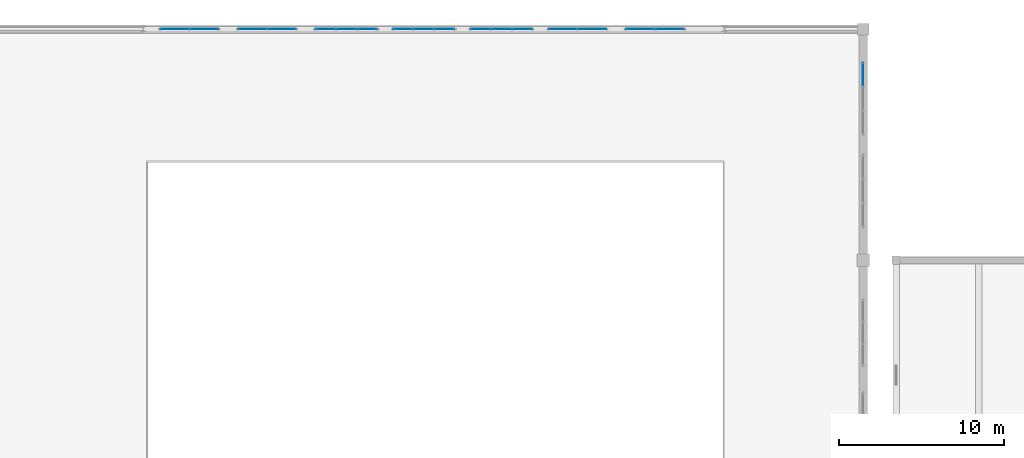
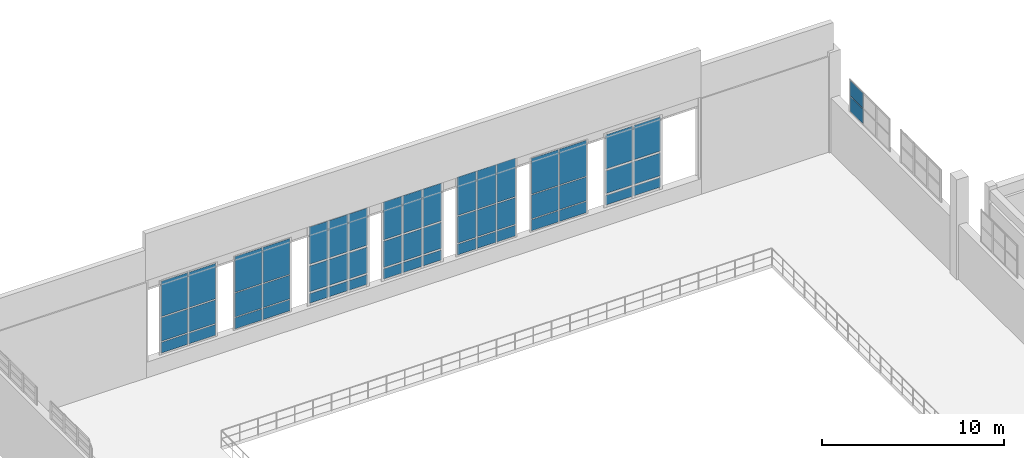
# One storey, part 168 of 197: 53 plates, 8 elements without a shape of their own.
"""IFC4 building model written with IfcOpenShell, lengths in metres."""

import ifcopenshell
import ifcopenshell.guid

model = None  # the IFC model being written
_history = None  # IfcOwnerHistory: only IFC2X3 demands one
_inside = {}  # id of a spatial element -> (the spatial element, [elements in it])
_under = {}  # id of a project, library or spatial element -> (it, [spatial elements below it])
_declared = {}  # id of a project -> (the project, [libraries it declares])
_typed = {}  # id of a type object -> (the type object, [elements of that type])
_made_of = {}  # id of a material, layer set ... -> (it, [elements and type objects made of it])


def new_model(schema):
    """Start an empty IFC model of exactly this schema.

    Asked for "IFC4X3", IfcOpenShell would pick the latest addendum, in which some entities
    have other attributes; the version numbers below select the first issue.
    IFC2X3 requires an IfcOwnerHistory on every rooted entity: one is made here for all.
    """
    global model, _history
    if schema == "IFC4X3":
        model = ifcopenshell.file(schema_version=(4, 3, 0, 0))
    else:
        model = ifcopenshell.file(schema=schema)
    _inside.clear()
    _under.clear()
    _declared.clear()
    _typed.clear()
    _made_of.clear()
    _history = None
    if model.schema == "IFC2X3":
        org = make("IfcOrganization", Name="unknown")
        user = make(
            "IfcPersonAndOrganization",
            ThePerson=make("IfcPerson", FamilyName="unknown"),
            TheOrganization=org,
        )
        app = make(
            "IfcApplication",
            ApplicationDeveloper=org,
            Version="unknown",
            ApplicationFullName="unknown",
            ApplicationIdentifier="unknown",
        )
        _history = make(
            "IfcOwnerHistory",
            OwningUser=user,
            OwningApplication=app,
            ChangeAction="ADDED",
            CreationDate=0,
        )
    return model


def make(cls, **values):
    """One entity of the class cls with the attributes given. An attribute that is None is left unset."""
    return model.create_entity(
        cls, **{name: value for name, value in values.items() if value is not None}
    )


def rooted(cls, **values):
    """An entity with a GlobalId (a new one), such as an element, a storey or a relation."""
    return make(cls, GlobalId=ifcopenshell.guid.new(), OwnerHistory=_history, **values)


def si_unit(unit_type, name, prefix=None):
    """IfcSIUnit, for example si_unit("LENGTHUNIT", "METRE", prefix="MILLI")."""
    return make("IfcSIUnit", UnitType=unit_type, Prefix=prefix, Name=name)


def derived_unit(unit_type, elements):
    """IfcDerivedUnit: a product of units, each with its exponent."""
    return make(
        "IfcDerivedUnit",
        Elements=[
            make("IfcDerivedUnitElement", Unit=unit, Exponent=power)
            for unit, power in elements
        ],
        UnitType=unit_type,
    )


def assignment(units):
    """IfcUnitAssignment: the units of a project."""
    return None if units is None else make("IfcUnitAssignment", Units=units)


def point(xyz):
    """IfcCartesianPoint."""
    return None if xyz is None else make("IfcCartesianPoint", Coordinates=xyz)


def direction(xyz):
    """IfcDirection."""
    return None if xyz is None else make("IfcDirection", DirectionRatios=xyz)


def frame(location, z_axis=None, x_axis=None):
    """IfcAxis2Placement3D, a coordinate frame: its origin and axes. An axis left out is left unset."""
    return make(
        "IfcAxis2Placement3D",
        Location=point(location),
        Axis=direction(z_axis),
        RefDirection=direction(x_axis),
    )


def frame_2d(location, x_axis=None):
    """IfcAxis2Placement2D, a coordinate frame in the plane: its origin and x axis."""
    return make(
        "IfcAxis2Placement2D", Location=point(location), RefDirection=direction(x_axis)
    )


def origin():
    """The frame at (0, 0, 0) with its axes left unset."""
    return frame((0.0, 0.0, 0.0))


def origin_2d():
    """The frame at (0, 0) in the plane with its x axis left unset."""
    return frame_2d((0.0, 0.0))


def place(relative_to, where):
    """IfcLocalPlacement: puts the frame where relative to a parent placement (None: the world)."""
    return make(
        "IfcLocalPlacement", PlacementRelTo=relative_to, RelativePlacement=where
    )


def context(
    kind, dimensions, precision=None, world=None, true_north=None, identifier=None
):
    """IfcGeometricRepresentationContext, for example the 3D "Model" context."""
    return make(
        "IfcGeometricRepresentationContext",
        ContextIdentifier=identifier,
        ContextType=kind,
        CoordinateSpaceDimension=dimensions,
        Precision=precision,
        WorldCoordinateSystem=world,
        TrueNorth=true_north,
    )


def subcontext(parent, identifier, kind, view, scale=None):
    """IfcGeometricRepresentationSubContext, for example "Body" below "Model"."""
    return make(
        "IfcGeometricRepresentationSubContext",
        ContextIdentifier=identifier,
        ContextType=kind,
        ParentContext=parent,
        TargetScale=scale,
        TargetView=view,
    )


def project(units=None, contexts=None):
    """IfcProject with its units and contexts."""
    return rooted(
        "IfcProject",
        Name="project",
        RepresentationContexts=contexts,
        UnitsInContext=assignment(units),
    )


def spatial(cls, under=None, at=None, **own):
    """A site, building, storey or space (cls), placed at a placement, below another one or the project."""
    s = rooted(cls, ObjectPlacement=at, **own)
    if under is not None:
        _under.setdefault(under.id(), (under, []))[1].append(s)
    return s


def profile(cls, at=None, kind="AREA", **sizes):
    """A parametric profile (cls). Its sizes go by their IFC names, for example OverallWidth=200.0."""
    return make(cls, ProfileType=kind, Position=at, **sizes)


def rectangle(**sizes):
    """IfcRectangleProfileDef."""
    return profile("IfcRectangleProfileDef", **sizes)


def extrude(swept, where, along, depth):
    """IfcExtrudedAreaSolid: the profile swept, set in the frame where, extruded along a direction by depth."""
    return make(
        "IfcExtrudedAreaSolid",
        SweptArea=swept,
        Position=where,
        ExtrudedDirection=direction(along),
        Depth=depth,
    )


def shape(context_of_items, identifier, shape_type, items):
    """IfcShapeRepresentation: the items that make up one representation, for example the "Body"."""
    return make(
        "IfcShapeRepresentation",
        ContextOfItems=context_of_items,
        RepresentationIdentifier=identifier,
        RepresentationType=shape_type,
        Items=items,
    )


def material(Name=None, Category=None):
    """IfcMaterial."""
    return make("IfcMaterial", Name=Name, Category=Category)


def layer(
    of_material, thickness, ventilated=None, Name=None, Category=None, Priority=None
):
    """IfcMaterialLayer: one layer of a wall or slab, of a material (None: an air gap)."""
    return make(
        "IfcMaterialLayer",
        Material=of_material,
        LayerThickness=thickness,
        IsVentilated=ventilated,
        Name=Name,
        Category=Category,
        Priority=Priority,
    )


def layer_set(layers, Name=None):
    """IfcMaterialLayerSet."""
    return make("IfcMaterialLayerSet", MaterialLayers=layers, LayerSetName=Name)


def made_of(thing, what):
    """Note that an element or type object is made of a material, layer set ...; save() writes the relation."""
    if what is not None:
        _made_of.setdefault(what.id(), (what, []))[1].append(thing)
    return thing


def type_object(cls, material=None, **own):
    """A type object (cls), such as IfcWallType, which elements share."""
    return made_of(rooted(cls, **own), material)


def element(
    cls,
    number,
    at=None,
    inside=None,
    cuts=None,
    type_object=None,
    material=None,
    context=None,
    identifier="Body",
    shape_type=None,
    held_by="IfcProductDefinitionShape",
    body=None,
    shapes=None,
    **own,
):
    """One element of the class cls, such as IfcWall. Its Tag is "e" and its number.

    at: its placement. inside: the storey or other place that contains it. cuts: it is an
    opening in that element (IfcRelVoidsElement). A single representation is given by context,
    identifier, shape_type and body (its items); several are given by shapes. held_by: the class
    of the entity that holds the representations. save() writes the other relations.
    """
    e = rooted(cls, Tag="e%d" % number, ObjectPlacement=at, **own)
    if body is not None:
        shapes = [shape(context, identifier, shape_type, body)]
    if shapes is not None:
        e.Representation = make(held_by, Representations=shapes)
    if inside is not None:
        _inside.setdefault(inside.id(), (inside, []))[1].append(e)
    if cuts is not None:
        rooted(
            "IfcRelVoidsElement", RelatingBuildingElement=cuts, RelatedOpeningElement=e
        )
    if type_object is not None:
        _typed.setdefault(type_object.id(), (type_object, []))[1].append(e)
    return made_of(e, material)


def aggregate(whole, parts):
    """IfcRelAggregates: a whole, such as a stair, and the parts it consists of."""
    return rooted("IfcRelAggregates", RelatingObject=whole, RelatedObjects=parts)


def save(model, path):
    """Write the relations noted so far, then the file.

    IfcRelAggregates (storeys below a building ...), IfcRelContainedInSpatialStructure (elements
    in a storey), IfcRelDefinesByType, IfcRelAssociatesMaterial and IfcRelDeclares: one each for
    every whole, place, type object, material and project.
    """
    for whole, parts in _under.values():
        aggregate(whole, parts)
    for where, things in _inside.values():
        rooted(
            "IfcRelContainedInSpatialStructure",
            RelatedElements=things,
            RelatingStructure=where,
        )
    for kind, things in _typed.values():
        rooted("IfcRelDefinesByType", RelatedObjects=things, RelatingType=kind)
    for what, things in _made_of.values():
        rooted("IfcRelAssociatesMaterial", RelatedObjects=things, RelatingMaterial=what)
    for by, libraries in _declared.values():
        rooted("IfcRelDeclares", RelatingContext=by, RelatedDefinitions=libraries)
    model.write(path)


model = new_model("IFC4")

# Units and contexts
model_context = context("Model", 3, precision=1e-05, world=origin(), true_north=direction((0.0, 1.0)))
body_context = subcontext(model_context, "Body", "Model", "MODEL_VIEW")
ifc_project = project(units=[si_unit("LENGTHUNIT", "METRE"), si_unit("AREAUNIT", "SQUARE_METRE"), si_unit("VOLUMEUNIT", "CUBIC_METRE"), si_unit("PLANEANGLEUNIT", "RADIAN"), si_unit("MASSUNIT", "GRAM", prefix="KILO"), derived_unit("THERMALTRANSMITTANCEUNIT", [(si_unit("POWERUNIT", "WATT"), 1), (si_unit("LENGTHUNIT", "METRE"), -2), (si_unit("THERMODYNAMICTEMPERATUREUNIT", "KELVIN"), -1)])], contexts=[model_context])

# Site, building, storey
site_placement = place(None, origin())
site = spatial("IfcSite", under=ifc_project, at=site_placement, CompositionType="ELEMENT")
building_placement = place(site_placement, origin())
building = spatial("IfcBuilding", under=site, at=building_placement, Name="Almenara Railside Exhibition Hall", CompositionType="ELEMENT")
storey_placement = place(building_placement, frame((0.0, 0.0, 5.39990234375)))
storey = spatial("IfcBuildingStorey", under=building, at=storey_placement, Name="L01", CompositionType="ELEMENT", Elevation=5.39990234375)

# Curtain wall, plates
ifc_material_1 = material(Name="Bronze-anodised aluminium and low-E double glazing", Category="aluminium")
ifc_layer_1 = layer(ifc_material_1, 0.179931640625, Name="Bronze-anodised aluminium and low-E double glazing")
ifc_layer_set_1 = layer_set([ifc_layer_1], Name="Bronze-anodised aluminium and low-E double glazing")
curtain_wall_type_1 = type_object("IfcCurtainWallType", Name="Scroll Gable Tall Curtain Wall 3800x5400", PredefinedType="NOTDEFINED", material=ifc_layer_set_1)
curtain_wall_1_placement = place(storey_placement, origin())
curtain_wall_1 = element("IfcCurtainWall", 1, at=curtain_wall_1_placement, inside=storey, type_object=curtain_wall_type_1, Name="Curtain wall CW-G1-090", PredefinedType="NOTDEFINED")
ifc_material_2 = material(Name="Solar-control acoustic laminated glazing", Category="glass")
ifc_layer_2 = layer(ifc_material_2, 0.031982421875, Name="Solar-control acoustic laminated glazing")
ifc_layer_set_2 = layer_set([ifc_layer_2], Name="Solar-control acoustic laminated glazing")
plate_type_1 = type_object("IfcPlateType", Name="Acoustic Low-E Double Glazing Panel 32mm", PredefinedType="CURTAIN_PANEL", material=ifc_layer_set_2)
plate_1_placement = place(storey_placement, frame((168.848388671875, 132.0, 1.14404296875), z_axis=(0.0, 0.0, 1.0), x_axis=(1.0, 0.0, 0.0)))
plate_1 = element("IfcPlate", 2, at=plate_1_placement, type_object=plate_type_1, Name="CW-G1-090 panel 1.1", PredefinedType="CURTAIN_PANEL", context=body_context, shape_type="SweptSolid", body=[
    extrude(rectangle(XDim=1.192626953125, YDim=0.031982421875, at=origin_2d()), origin(), (0.0, 0.0, 1.0), 0.717041015625),
])
plate_2_placement = place(storey_placement, frame((168.848388671875, 132.0, 1.939208984375), z_axis=(0.0, 0.0, 1.0), x_axis=(1.0, 0.0, 0.0)))
plate_2 = element("IfcPlate", 3, at=plate_2_placement, type_object=plate_type_1, Name="CW-G1-090 panel 1.2", PredefinedType="CURTAIN_PANEL", context=body_context, shape_type="SweptSolid", body=[
    extrude(rectangle(XDim=1.192626953125, YDim=0.031982421875, at=origin_2d()), origin(), (0.0, 0.0, 1.0), 1.77197265625),
])
plate_3_placement = place(storey_placement, frame((168.848388671875, 132.0, 3.7890625), z_axis=(0.0, 0.0, 1.0), x_axis=(1.0, 0.0, 0.0)))
plate_3 = element("IfcPlate", 4, at=plate_3_placement, type_object=plate_type_1, Name="CW-G1-090 panel 1.3", PredefinedType="CURTAIN_PANEL", context=body_context, shape_type="SweptSolid", body=[
    extrude(rectangle(XDim=1.192626953125, YDim=0.031982421875, at=origin_2d()), origin(), (0.0, 0.0, 1.0), 2.56689453125),
])
plate_4_placement = place(storey_placement, frame((170.10009765625, 132.0, 1.14404296875), z_axis=(0.0, 0.0, 1.0), x_axis=(1.0, 0.0, 0.0)))
plate_4 = element("IfcPlate", 5, at=plate_4_placement, type_object=plate_type_1, Name="CW-G1-090 panel 2.1", PredefinedType="CURTAIN_PANEL", context=body_context, shape_type="SweptSolid", body=[
    extrude(rectangle(XDim=1.22265625, YDim=0.031982421875, at=origin_2d()), origin(), (0.0, 0.0, 1.0), 0.717041015625),
])
plate_5_placement = place(storey_placement, frame((170.10009765625, 132.0, 1.939208984375), z_axis=(0.0, 0.0, 1.0), x_axis=(1.0, 0.0, 0.0)))
plate_5 = element("IfcPlate", 6, at=plate_5_placement, type_object=plate_type_1, Name="CW-G1-090 panel 2.2", PredefinedType="CURTAIN_PANEL", context=body_context, shape_type="SweptSolid", body=[
    extrude(rectangle(XDim=1.22265625, YDim=0.031982421875, at=origin_2d()), origin(), (0.0, 0.0, 1.0), 1.77197265625),
])
plate_6_placement = place(storey_placement, frame((170.10009765625, 132.0, 3.7890625), z_axis=(0.0, 0.0, 1.0), x_axis=(1.0, 0.0, 0.0)))
plate_6 = element("IfcPlate", 7, at=plate_6_placement, type_object=plate_type_1, Name="CW-G1-090 panel 2.3", PredefinedType="CURTAIN_PANEL", context=body_context, shape_type="SweptSolid", body=[
    extrude(rectangle(XDim=1.22265625, YDim=0.031982421875, at=origin_2d()), origin(), (0.0, 0.0, 1.0), 2.56689453125),
])
plate_7_placement = place(storey_placement, frame((171.3515625, 132.0, 1.14404296875), z_axis=(0.0, 0.0, 1.0), x_axis=(1.0, 0.0, 0.0)))
plate_7 = element("IfcPlate", 8, at=plate_7_placement, type_object=plate_type_1, Name="CW-G1-090 panel 3.1", PredefinedType="CURTAIN_PANEL", context=body_context, shape_type="SweptSolid", body=[
    extrude(rectangle(XDim=1.192626953125, YDim=0.031982421875, at=origin_2d()), origin(), (0.0, 0.0, 1.0), 0.717041015625),
])
plate_8_placement = place(storey_placement, frame((171.3515625, 132.0, 1.939208984375), z_axis=(0.0, 0.0, 1.0), x_axis=(1.0, 0.0, 0.0)))
plate_8 = element("IfcPlate", 9, at=plate_8_placement, type_object=plate_type_1, Name="CW-G1-090 panel 3.2", PredefinedType="CURTAIN_PANEL", context=body_context, shape_type="SweptSolid", body=[
    extrude(rectangle(XDim=1.192626953125, YDim=0.031982421875, at=origin_2d()), origin(), (0.0, 0.0, 1.0), 1.77197265625),
])
plate_9_placement = place(storey_placement, frame((171.3515625, 132.0, 3.7890625), z_axis=(0.0, 0.0, 1.0), x_axis=(1.0, 0.0, 0.0)))
plate_9 = element("IfcPlate", 10, at=plate_9_placement, type_object=plate_type_1, Name="CW-G1-090 panel 3.3", PredefinedType="CURTAIN_PANEL", context=body_context, shape_type="SweptSolid", body=[
    extrude(rectangle(XDim=1.192626953125, YDim=0.031982421875, at=origin_2d()), origin(), (0.0, 0.0, 1.0), 2.56689453125),
])
aggregate(curtain_wall_1, [plate_1, plate_2, plate_3, plate_4, plate_5, plate_6, plate_7, plate_8, plate_9])

ifc_layer_3 = layer(ifc_material_1, 0.179931640625, Name="Bronze-anodised aluminium and low-E double glazing")
ifc_layer_set_3 = layer_set([ifc_layer_3], Name="Bronze-anodised aluminium and low-E double glazing")
curtain_wall_type_2 = type_object("IfcCurtainWallType", Name="Scroll Gable Standard Curtain Wall 3600x5000", PredefinedType="NOTDEFINED", material=ifc_layer_set_3)
curtain_wall_2_placement = place(storey_placement, origin())
curtain_wall_2 = element("IfcCurtainWall", 11, at=curtain_wall_2_placement, inside=storey, type_object=curtain_wall_type_2, Name="Curtain wall CW-G2-087", PredefinedType="NOTDEFINED")
ifc_material_3 = material(Name="Clear low-E laminated double glazing", Category="glass")
ifc_layer_4 = layer(ifc_material_3, 0.02392578125, Name="Clear low-E laminated double glazing")
ifc_layer_set_4 = layer_set([ifc_layer_4], Name="Clear low-E laminated double glazing")
plate_type_2 = type_object("IfcPlateType", Name="Courtyard Clear Double Glazing Panel 24mm", PredefinedType="CURTAIN_PANEL", material=ifc_layer_set_4)
plate_10_placement = place(storey_placement, frame((155.013671875, 132.0, 1.1240234375), z_axis=(0.0, 0.0, 1.0), x_axis=(1.0, 0.0, 0.0)))
plate_10 = element("IfcPlate", 12, at=plate_10_placement, type_object=plate_type_2, Name="CW-G2-087 panel 1.1", PredefinedType="CURTAIN_PANEL", context=body_context, shape_type="SweptSolid", body=[
    extrude(rectangle(XDim=1.7333984375, YDim=0.02392578125, at=origin_2d()), origin(), (0.0, 0.0, 1.0), 0.7470703125),
])
plate_11_placement = place(storey_placement, frame((155.013671875, 132.0, 1.92919921875), z_axis=(0.0, 0.0, 1.0), x_axis=(1.0, 0.0, 0.0)))
plate_11 = element("IfcPlate", 13, at=plate_11_placement, type_object=plate_type_2, Name="CW-G2-087 panel 1.2", PredefinedType="CURTAIN_PANEL", context=body_context, shape_type="SweptSolid", body=[
    extrude(rectangle(XDim=1.7333984375, YDim=0.02392578125, at=origin_2d()), origin(), (0.0, 0.0, 1.0), 1.592041015625),
])
plate_12_placement = place(storey_placement, frame((155.013671875, 132.0, 3.5791015625), z_axis=(0.0, 0.0, 1.0), x_axis=(1.0, 0.0, 0.0)))
plate_12 = element("IfcPlate", 14, at=plate_12_placement, type_object=plate_type_2, Name="CW-G2-087 panel 1.3", PredefinedType="CURTAIN_PANEL", context=body_context, shape_type="SweptSolid", body=[
    extrude(rectangle(XDim=1.7333984375, YDim=0.02392578125, at=origin_2d()), origin(), (0.0, 0.0, 1.0), 2.39697265625),
])
plate_13_placement = place(storey_placement, frame((156.7861328125, 132.0, 1.1240234375), z_axis=(0.0, 0.0, 1.0), x_axis=(1.0, 0.0, 0.0)))
plate_13 = element("IfcPlate", 15, at=plate_13_placement, type_object=plate_type_2, Name="CW-G2-087 panel 2.1", PredefinedType="CURTAIN_PANEL", context=body_context, shape_type="SweptSolid", body=[
    extrude(rectangle(XDim=1.7333984375, YDim=0.02392578125, at=origin_2d()), origin(), (0.0, 0.0, 1.0), 0.7470703125),
])
plate_14_placement = place(storey_placement, frame((156.7861328125, 132.0, 1.92919921875), z_axis=(0.0, 0.0, 1.0), x_axis=(1.0, 0.0, 0.0)))
plate_14 = element("IfcPlate", 16, at=plate_14_placement, type_object=plate_type_2, Name="CW-G2-087 panel 2.2", PredefinedType="CURTAIN_PANEL", context=body_context, shape_type="SweptSolid", body=[
    extrude(rectangle(XDim=1.7333984375, YDim=0.02392578125, at=origin_2d()), origin(), (0.0, 0.0, 1.0), 1.592041015625),
])
plate_15_placement = place(storey_placement, frame((156.7861328125, 132.0, 3.5791015625), z_axis=(0.0, 0.0, 1.0), x_axis=(1.0, 0.0, 0.0)))
plate_15 = element("IfcPlate", 17, at=plate_15_placement, type_object=plate_type_2, Name="CW-G2-087 panel 2.3", PredefinedType="CURTAIN_PANEL", context=body_context, shape_type="SweptSolid", body=[
    extrude(rectangle(XDim=1.7333984375, YDim=0.02392578125, at=origin_2d()), origin(), (0.0, 0.0, 1.0), 2.39697265625),
])
aggregate(curtain_wall_2, [plate_10, plate_11, plate_12, plate_13, plate_14, plate_15])

curtain_wall_3_placement = place(storey_placement, origin())
curtain_wall_3 = element("IfcCurtainWall", 18, at=curtain_wall_3_placement, inside=storey, type_object=curtain_wall_type_2, Name="Curtain wall CW-G2-092", PredefinedType="NOTDEFINED")
plate_16_placement = place(storey_placement, frame((178.517578125, 132.0, 1.194091796875), z_axis=(0.0, 0.0, 1.0), x_axis=(1.0, 0.0, 0.0)))
plate_16 = element("IfcPlate", 19, at=plate_16_placement, type_object=plate_type_2, Name="CW-G2-092 panel 1.1", PredefinedType="CURTAIN_PANEL", context=body_context, shape_type="SweptSolid", body=[
    extrude(rectangle(XDim=1.7109375, YDim=0.02392578125, at=origin_2d()), origin(), (0.0, 0.0, 1.0), 0.64208984375),
])
plate_17_placement = place(storey_placement, frame((178.517578125, 132.0, 1.964111328125), z_axis=(0.0, 0.0, 1.0), x_axis=(1.0, 0.0, 0.0)))
plate_17 = element("IfcPlate", 20, at=plate_17_placement, type_object=plate_type_2, Name="CW-G2-092 panel 1.2", PredefinedType="CURTAIN_PANEL", context=body_context, shape_type="SweptSolid", body=[
    extrude(rectangle(XDim=1.7109375, YDim=0.02392578125, at=origin_2d()), origin(), (0.0, 0.0, 1.0), 1.52197265625),
])
plate_18_placement = place(storey_placement, frame((178.517578125, 132.0, 3.614013671875), z_axis=(0.0, 0.0, 1.0), x_axis=(1.0, 0.0, 0.0)))
plate_18 = element("IfcPlate", 21, at=plate_18_placement, type_object=plate_type_2, Name="CW-G2-092 panel 1.3", PredefinedType="CURTAIN_PANEL", context=body_context, shape_type="SweptSolid", body=[
    extrude(rectangle(XDim=1.7109375, YDim=0.02392578125, at=origin_2d()), origin(), (0.0, 0.0, 1.0), 2.2919921875),
])
plate_19_placement = place(storey_placement, frame((180.282470703125, 132.0, 1.194091796875), z_axis=(0.0, 0.0, 1.0), x_axis=(1.0, 0.0, 0.0)))
plate_19 = element("IfcPlate", 22, at=plate_19_placement, type_object=plate_type_2, Name="CW-G2-092 panel 2.1", PredefinedType="CURTAIN_PANEL", context=body_context, shape_type="SweptSolid", body=[
    extrude(rectangle(XDim=1.7109375, YDim=0.02392578125, at=origin_2d()), origin(), (0.0, 0.0, 1.0), 0.64208984375),
])
plate_20_placement = place(storey_placement, frame((180.282470703125, 132.0, 1.964111328125), z_axis=(0.0, 0.0, 1.0), x_axis=(1.0, 0.0, 0.0)))
plate_20 = element("IfcPlate", 23, at=plate_20_placement, type_object=plate_type_2, Name="CW-G2-092 panel 2.2", PredefinedType="CURTAIN_PANEL", context=body_context, shape_type="SweptSolid", body=[
    extrude(rectangle(XDim=1.7109375, YDim=0.02392578125, at=origin_2d()), origin(), (0.0, 0.0, 1.0), 1.52197265625),
])
plate_21_placement = place(storey_placement, frame((180.282470703125, 132.0, 3.614013671875), z_axis=(0.0, 0.0, 1.0), x_axis=(1.0, 0.0, 0.0)))
plate_21 = element("IfcPlate", 24, at=plate_21_placement, type_object=plate_type_2, Name="CW-G2-092 panel 2.3", PredefinedType="CURTAIN_PANEL", context=body_context, shape_type="SweptSolid", body=[
    extrude(rectangle(XDim=1.7109375, YDim=0.02392578125, at=origin_2d()), origin(), (0.0, 0.0, 1.0), 2.2919921875),
])
aggregate(curtain_wall_3, [plate_16, plate_17, plate_18, plate_19, plate_20, plate_21])

ifc_layer_5 = layer(ifc_material_1, 0.179931640625, Name="Bronze-anodised aluminium and low-E double glazing")
ifc_layer_set_5 = layer_set([ifc_layer_5], Name="Bronze-anodised aluminium and low-E double glazing")
curtain_wall_type_3 = type_object("IfcCurtainWallType", Name="East Hall Clerestory Curtain Wall 4400x2300", PredefinedType="NOTDEFINED", material=ifc_layer_set_5)
curtain_wall_4_placement = place(storey_placement, origin())
curtain_wall_4 = element("IfcCurtainWall", 25, at=curtain_wall_4_placement, inside=storey, type_object=curtain_wall_type_3, Name="Curtain wall CW-CL3-078", PredefinedType="NOTDEFINED")
ifc_material_4 = material(Name="Bronze-anodised insulated aluminium spandrel", Category="aluminium")
ifc_layer_6 = layer(ifc_material_4, 0.0400390625, Name="Bronze-anodised insulated aluminium spandrel")
ifc_layer_set_6 = layer_set([ifc_layer_6], Name="Bronze-anodised insulated aluminium spandrel")
plate_type_3 = type_object("IfcPlateType", Name="Insulated Bronze Spandrel Panel 40mm", PredefinedType="CURTAIN_PANEL", material=ifc_layer_set_6)
plate_22_placement = place(storey_placement, frame((192.0, 129.2529296875, 3.72412109375), z_axis=(0.0, 0.0, 1.0), x_axis=(0.0, 1.0, 0.0)))
plate_22 = element("IfcPlate", 26, at=plate_22_placement, type_object=plate_type_3, Name="CW-CL3-078 panel 3.1", PredefinedType="CURTAIN_PANEL", context=body_context, shape_type="SweptSolid", body=[
    extrude(rectangle(XDim=1.400146484375, YDim=0.0400390625, at=origin_2d()), origin(), (0.0, 0.0, 1.0), 0.9970703125),
])
plate_23_placement = place(storey_placement, frame((192.0, 129.2529296875, 4.779052734375), z_axis=(0.0, 0.0, 1.0), x_axis=(0.0, 1.0, 0.0)))
plate_23 = element("IfcPlate", 27, at=plate_23_placement, type_object=plate_type_3, Name="CW-CL3-078 panel 3.2", PredefinedType="CURTAIN_PANEL", context=body_context, shape_type="SweptSolid", body=[
    extrude(rectangle(XDim=1.400146484375, YDim=0.0400390625, at=origin_2d()), origin(), (0.0, 0.0, 1.0), 0.9970703125),
])
aggregate(curtain_wall_4, [plate_22, plate_23])

curtain_wall_5_placement = place(storey_placement, origin())
curtain_wall_5 = element("IfcCurtainWall", 28, at=curtain_wall_5_placement, inside=storey, type_object=curtain_wall_type_1, Name="Curtain wall CW-G1-088", PredefinedType="NOTDEFINED")
plate_24_placement = place(storey_placement, frame((159.450927734375, 132.0, 1.194091796875), z_axis=(0.0, 0.0, 1.0), x_axis=(1.0, 0.0, 0.0)))
plate_24 = element("IfcPlate", 29, at=plate_24_placement, type_object=plate_type_3, Name="CW-G1-088 panel 1.1", PredefinedType="CURTAIN_PANEL", context=body_context, shape_type="SweptSolid", body=[
    extrude(rectangle(XDim=1.177734375, YDim=0.0400390625, at=origin_2d()), origin(), (0.0, 0.0, 1.0), 0.64208984375),
])
plate_25_placement = place(storey_placement, frame((159.450927734375, 132.0, 1.96435546875), z_axis=(0.0, 0.0, 1.0), x_axis=(1.0, 0.0, 0.0)))
plate_25 = element("IfcPlate", 30, at=plate_25_placement, type_object=plate_type_3, Name="CW-G1-088 panel 1.2", PredefinedType="CURTAIN_PANEL", context=body_context, shape_type="SweptSolid", body=[
    extrude(rectangle(XDim=1.177734375, YDim=0.0400390625, at=origin_2d()), origin(), (0.0, 0.0, 1.0), 1.721923828125),
])
plate_26_placement = place(storey_placement, frame((159.450927734375, 132.0, 3.81396484375), z_axis=(0.0, 0.0, 1.0), x_axis=(1.0, 0.0, 0.0)))
plate_26 = element("IfcPlate", 31, at=plate_26_placement, type_object=plate_type_3, Name="CW-G1-088 panel 1.3", PredefinedType="CURTAIN_PANEL", context=body_context, shape_type="SweptSolid", body=[
    extrude(rectangle(XDim=1.177734375, YDim=0.0400390625, at=origin_2d()), origin(), (0.0, 0.0, 1.0), 2.491943359375),
])
plate_27_placement = place(storey_placement, frame((160.699951171875, 132.0, 1.194091796875), z_axis=(0.0, 0.0, 1.0), x_axis=(1.0, 0.0, 0.0)))
plate_27 = element("IfcPlate", 32, at=plate_27_placement, type_object=plate_type_3, Name="CW-G1-088 panel 2.1", PredefinedType="CURTAIN_PANEL", context=body_context, shape_type="SweptSolid", body=[
    extrude(rectangle(XDim=1.212646484375, YDim=0.0400390625, at=origin_2d()), origin(), (0.0, 0.0, 1.0), 0.64208984375),
])
plate_28_placement = place(storey_placement, frame((160.699951171875, 132.0, 1.96435546875), z_axis=(0.0, 0.0, 1.0), x_axis=(1.0, 0.0, 0.0)))
plate_28 = element("IfcPlate", 33, at=plate_28_placement, type_object=plate_type_3, Name="CW-G1-088 panel 2.2", PredefinedType="CURTAIN_PANEL", context=body_context, shape_type="SweptSolid", body=[
    extrude(rectangle(XDim=1.212646484375, YDim=0.0400390625, at=origin_2d()), origin(), (0.0, 0.0, 1.0), 1.721923828125),
])
plate_29_placement = place(storey_placement, frame((160.699951171875, 132.0, 3.81396484375), z_axis=(0.0, 0.0, 1.0), x_axis=(1.0, 0.0, 0.0)))
plate_29 = element("IfcPlate", 34, at=plate_29_placement, type_object=plate_type_3, Name="CW-G1-088 panel 2.3", PredefinedType="CURTAIN_PANEL", context=body_context, shape_type="SweptSolid", body=[
    extrude(rectangle(XDim=1.212646484375, YDim=0.0400390625, at=origin_2d()), origin(), (0.0, 0.0, 1.0), 2.491943359375),
])
plate_30_placement = place(storey_placement, frame((161.94921875, 132.0, 1.194091796875), z_axis=(0.0, 0.0, 1.0), x_axis=(1.0, 0.0, 0.0)))
plate_30 = element("IfcPlate", 35, at=plate_30_placement, type_object=plate_type_3, Name="CW-G1-088 panel 3.1", PredefinedType="CURTAIN_PANEL", context=body_context, shape_type="SweptSolid", body=[
    extrude(rectangle(XDim=1.177734375, YDim=0.0400390625, at=origin_2d()), origin(), (0.0, 0.0, 1.0), 0.64208984375),
])
plate_31_placement = place(storey_placement, frame((161.94921875, 132.0, 1.96435546875), z_axis=(0.0, 0.0, 1.0), x_axis=(1.0, 0.0, 0.0)))
plate_31 = element("IfcPlate", 36, at=plate_31_placement, type_object=plate_type_3, Name="CW-G1-088 panel 3.2", PredefinedType="CURTAIN_PANEL", context=body_context, shape_type="SweptSolid", body=[
    extrude(rectangle(XDim=1.177734375, YDim=0.0400390625, at=origin_2d()), origin(), (0.0, 0.0, 1.0), 1.721923828125),
])
plate_32_placement = place(storey_placement, frame((161.94921875, 132.0, 3.81396484375), z_axis=(0.0, 0.0, 1.0), x_axis=(1.0, 0.0, 0.0)))
plate_32 = element("IfcPlate", 37, at=plate_32_placement, type_object=plate_type_3, Name="CW-G1-088 panel 3.3", PredefinedType="CURTAIN_PANEL", context=body_context, shape_type="SweptSolid", body=[
    extrude(rectangle(XDim=1.177734375, YDim=0.0400390625, at=origin_2d()), origin(), (0.0, 0.0, 1.0), 2.491943359375),
])
aggregate(curtain_wall_5, [plate_24, plate_25, plate_26, plate_27, plate_28, plate_29, plate_30, plate_31, plate_32])

curtain_wall_6_placement = place(storey_placement, origin())
curtain_wall_6 = element("IfcCurtainWall", 38, at=curtain_wall_6_placement, inside=storey, type_object=curtain_wall_type_1, Name="Curtain wall CW-G1-089", PredefinedType="NOTDEFINED")
ifc_layer_7 = layer(ifc_material_4, 0.034912109375, Name="Bronze-anodised insulated aluminium spandrel")
ifc_layer_set_7 = layer_set([ifc_layer_7], Name="Bronze-anodised insulated aluminium spandrel")
plate_type_4 = type_object("IfcPlateType", Name="Insulated Stucco-Tone Spandrel Panel 35mm", PredefinedType="CURTAIN_PANEL", material=ifc_layer_set_7)
plate_33_placement = place(storey_placement, frame((164.149658203125, 132.0, 1.173828125), z_axis=(0.0, 0.0, 1.0), x_axis=(1.0, 0.0, 0.0)))
plate_33 = element("IfcPlate", 39, at=plate_33_placement, type_object=plate_type_4, Name="CW-G1-089 panel 1.1", PredefinedType="CURTAIN_PANEL", context=body_context, shape_type="SweptSolid", body=[
    extrude(rectangle(XDim=1.18505859375, YDim=0.034912109375, at=origin_2d()), origin(), (0.0, 0.0, 1.0), 0.672119140625),
])
plate_34_placement = place(storey_placement, frame((164.149658203125, 132.0, 1.9541015625), z_axis=(0.0, 0.0, 1.0), x_axis=(1.0, 0.0, 0.0)))
plate_34 = element("IfcPlate", 40, at=plate_34_placement, type_object=plate_type_4, Name="CW-G1-089 panel 1.2", PredefinedType="CURTAIN_PANEL", context=body_context, shape_type="SweptSolid", body=[
    extrude(rectangle(XDim=1.18505859375, YDim=0.034912109375, at=origin_2d()), origin(), (0.0, 0.0, 1.0), 1.741943359375),
])
plate_35_placement = place(storey_placement, frame((164.149658203125, 132.0, 3.80419921875), z_axis=(0.0, 0.0, 1.0), x_axis=(1.0, 0.0, 0.0)))
plate_35 = element("IfcPlate", 41, at=plate_35_placement, type_object=plate_type_4, Name="CW-G1-089 panel 1.3", PredefinedType="CURTAIN_PANEL", context=body_context, shape_type="SweptSolid", body=[
    extrude(rectangle(XDim=1.18505859375, YDim=0.034912109375, at=origin_2d()), origin(), (0.0, 0.0, 1.0), 2.52197265625),
])
plate_36_placement = place(storey_placement, frame((165.39990234375, 132.0, 1.173828125), z_axis=(0.0, 0.0, 1.0), x_axis=(1.0, 0.0, 0.0)))
plate_36 = element("IfcPlate", 42, at=plate_36_placement, type_object=plate_type_4, Name="CW-G1-089 panel 2.1", PredefinedType="CURTAIN_PANEL", context=body_context, shape_type="SweptSolid", body=[
    extrude(rectangle(XDim=1.2177734375, YDim=0.034912109375, at=origin_2d()), origin(), (0.0, 0.0, 1.0), 0.672119140625),
])
plate_37_placement = place(storey_placement, frame((165.39990234375, 132.0, 1.9541015625), z_axis=(0.0, 0.0, 1.0), x_axis=(1.0, 0.0, 0.0)))
plate_37 = element("IfcPlate", 43, at=plate_37_placement, type_object=plate_type_4, Name="CW-G1-089 panel 2.2", PredefinedType="CURTAIN_PANEL", context=body_context, shape_type="SweptSolid", body=[
    extrude(rectangle(XDim=1.2177734375, YDim=0.034912109375, at=origin_2d()), origin(), (0.0, 0.0, 1.0), 1.741943359375),
])
plate_38_placement = place(storey_placement, frame((165.39990234375, 132.0, 3.80419921875), z_axis=(0.0, 0.0, 1.0), x_axis=(1.0, 0.0, 0.0)))
plate_38 = element("IfcPlate", 44, at=plate_38_placement, type_object=plate_type_4, Name="CW-G1-089 panel 2.3", PredefinedType="CURTAIN_PANEL", context=body_context, shape_type="SweptSolid", body=[
    extrude(rectangle(XDim=1.2177734375, YDim=0.034912109375, at=origin_2d()), origin(), (0.0, 0.0, 1.0), 2.52197265625),
])
plate_39_placement = place(storey_placement, frame((166.650390625, 132.0, 1.173828125), z_axis=(0.0, 0.0, 1.0), x_axis=(1.0, 0.0, 0.0)))
plate_39 = element("IfcPlate", 45, at=plate_39_placement, type_object=plate_type_4, Name="CW-G1-089 panel 3.1", PredefinedType="CURTAIN_PANEL", context=body_context, shape_type="SweptSolid", body=[
    extrude(rectangle(XDim=1.18505859375, YDim=0.034912109375, at=origin_2d()), origin(), (0.0, 0.0, 1.0), 0.672119140625),
])
plate_40_placement = place(storey_placement, frame((166.650390625, 132.0, 1.9541015625), z_axis=(0.0, 0.0, 1.0), x_axis=(1.0, 0.0, 0.0)))
plate_40 = element("IfcPlate", 46, at=plate_40_placement, type_object=plate_type_4, Name="CW-G1-089 panel 3.2", PredefinedType="CURTAIN_PANEL", context=body_context, shape_type="SweptSolid", body=[
    extrude(rectangle(XDim=1.18505859375, YDim=0.034912109375, at=origin_2d()), origin(), (0.0, 0.0, 1.0), 1.741943359375),
])
plate_41_placement = place(storey_placement, frame((166.650390625, 132.0, 3.80419921875), z_axis=(0.0, 0.0, 1.0), x_axis=(1.0, 0.0, 0.0)))
plate_41 = element("IfcPlate", 47, at=plate_41_placement, type_object=plate_type_4, Name="CW-G1-089 panel 3.3", PredefinedType="CURTAIN_PANEL", context=body_context, shape_type="SweptSolid", body=[
    extrude(rectangle(XDim=1.18505859375, YDim=0.034912109375, at=origin_2d()), origin(), (0.0, 0.0, 1.0), 2.52197265625),
])
aggregate(curtain_wall_6, [plate_33, plate_34, plate_35, plate_36, plate_37, plate_38, plate_39, plate_40, plate_41])

curtain_wall_7_placement = place(storey_placement, origin())
curtain_wall_7 = element("IfcCurtainWall", 48, at=curtain_wall_7_placement, inside=storey, type_object=curtain_wall_type_2, Name="Curtain wall CW-G2-086", PredefinedType="NOTDEFINED")
ifc_material_5 = material(Name="Solar-control low-E laminated double glazing", Category="glass")
ifc_layer_8 = layer(ifc_material_5, 0.028076171875, Name="Solar-control low-E laminated double glazing")
ifc_layer_set_8 = layer_set([ifc_layer_8], Name="Solar-control low-E laminated double glazing")
plate_type_5 = type_object("IfcPlateType", Name="Low-E Solar Control Double Glazing Panel 28mm", PredefinedType="CURTAIN_PANEL", material=ifc_layer_set_8)
plate_42_placement = place(storey_placement, frame((150.31494140625, 132.0, 1.14404296875), z_axis=(0.0, 0.0, 1.0), x_axis=(1.0, 0.0, 0.0)))
plate_42 = element("IfcPlate", 49, at=plate_42_placement, type_object=plate_type_5, Name="CW-G2-086 panel 1.1", PredefinedType="CURTAIN_PANEL", context=body_context, shape_type="SweptSolid", body=[
    extrude(rectangle(XDim=1.72607421875, YDim=0.028076171875, at=origin_2d()), origin(), (0.0, 0.0, 1.0), 0.717041015625),
])
plate_43_placement = place(storey_placement, frame((150.31494140625, 132.0, 1.93896484375), z_axis=(0.0, 0.0, 1.0), x_axis=(1.0, 0.0, 0.0)))
plate_43 = element("IfcPlate", 50, at=plate_43_placement, type_object=plate_type_5, Name="CW-G2-086 panel 1.2", PredefinedType="CURTAIN_PANEL", context=body_context, shape_type="SweptSolid", body=[
    extrude(rectangle(XDim=1.72607421875, YDim=0.028076171875, at=origin_2d()), origin(), (0.0, 0.0, 1.0), 1.572021484375),
])
plate_44_placement = place(storey_placement, frame((150.31494140625, 132.0, 3.58935546875), z_axis=(0.0, 0.0, 1.0), x_axis=(1.0, 0.0, 0.0)))
plate_44 = element("IfcPlate", 51, at=plate_44_placement, type_object=plate_type_5, Name="CW-G2-086 panel 1.3", PredefinedType="CURTAIN_PANEL", context=body_context, shape_type="SweptSolid", body=[
    extrude(rectangle(XDim=1.72607421875, YDim=0.028076171875, at=origin_2d()), origin(), (0.0, 0.0, 1.0), 2.366943359375),
])
plate_45_placement = place(storey_placement, frame((152.0849609375, 132.0, 1.14404296875), z_axis=(0.0, 0.0, 1.0), x_axis=(1.0, 0.0, 0.0)))
plate_45 = element("IfcPlate", 52, at=plate_45_placement, type_object=plate_type_5, Name="CW-G2-086 panel 2.1", PredefinedType="CURTAIN_PANEL", context=body_context, shape_type="SweptSolid", body=[
    extrude(rectangle(XDim=1.72607421875, YDim=0.028076171875, at=origin_2d()), origin(), (0.0, 0.0, 1.0), 0.717041015625),
])
plate_46_placement = place(storey_placement, frame((152.0849609375, 132.0, 1.93896484375), z_axis=(0.0, 0.0, 1.0), x_axis=(1.0, 0.0, 0.0)))
plate_46 = element("IfcPlate", 53, at=plate_46_placement, type_object=plate_type_5, Name="CW-G2-086 panel 2.2", PredefinedType="CURTAIN_PANEL", context=body_context, shape_type="SweptSolid", body=[
    extrude(rectangle(XDim=1.72607421875, YDim=0.028076171875, at=origin_2d()), origin(), (0.0, 0.0, 1.0), 1.572021484375),
])
plate_47_placement = place(storey_placement, frame((152.0849609375, 132.0, 3.58935546875), z_axis=(0.0, 0.0, 1.0), x_axis=(1.0, 0.0, 0.0)))
plate_47 = element("IfcPlate", 54, at=plate_47_placement, type_object=plate_type_5, Name="CW-G2-086 panel 2.3", PredefinedType="CURTAIN_PANEL", context=body_context, shape_type="SweptSolid", body=[
    extrude(rectangle(XDim=1.72607421875, YDim=0.028076171875, at=origin_2d()), origin(), (0.0, 0.0, 1.0), 2.366943359375),
])
aggregate(curtain_wall_7, [plate_42, plate_43, plate_44, plate_45, plate_46, plate_47])

curtain_wall_8_placement = place(storey_placement, origin())
curtain_wall_8 = element("IfcCurtainWall", 55, at=curtain_wall_8_placement, inside=storey, type_object=curtain_wall_type_2, Name="Curtain wall CW-G2-091", PredefinedType="NOTDEFINED")
plate_48_placement = place(storey_placement, frame((173.813720703125, 132.0, 1.1240234375), z_axis=(0.0, 0.0, 1.0), x_axis=(1.0, 0.0, 0.0)))
plate_48 = element("IfcPlate", 56, at=plate_48_placement, type_object=plate_type_5, Name="CW-G2-091 panel 1.1", PredefinedType="CURTAIN_PANEL", context=body_context, shape_type="SweptSolid", body=[
    extrude(rectangle(XDim=1.7333984375, YDim=0.028076171875, at=origin_2d()), origin(), (0.0, 0.0, 1.0), 0.7470703125),
])
plate_49_placement = place(storey_placement, frame((173.813720703125, 132.0, 1.92919921875), z_axis=(0.0, 0.0, 1.0), x_axis=(1.0, 0.0, 0.0)))
plate_49 = element("IfcPlate", 57, at=plate_49_placement, type_object=plate_type_5, Name="CW-G2-091 panel 1.2", PredefinedType="CURTAIN_PANEL", context=body_context, shape_type="SweptSolid", body=[
    extrude(rectangle(XDim=1.7333984375, YDim=0.028076171875, at=origin_2d()), origin(), (0.0, 0.0, 1.0), 1.592041015625),
])
plate_50_placement = place(storey_placement, frame((173.813720703125, 132.0, 3.5791015625), z_axis=(0.0, 0.0, 1.0), x_axis=(1.0, 0.0, 0.0)))
plate_50 = element("IfcPlate", 58, at=plate_50_placement, type_object=plate_type_5, Name="CW-G2-091 panel 1.3", PredefinedType="CURTAIN_PANEL", context=body_context, shape_type="SweptSolid", body=[
    extrude(rectangle(XDim=1.7333984375, YDim=0.028076171875, at=origin_2d()), origin(), (0.0, 0.0, 1.0), 2.39697265625),
])
plate_51_placement = place(storey_placement, frame((175.586181640625, 132.0, 1.1240234375), z_axis=(0.0, 0.0, 1.0), x_axis=(1.0, 0.0, 0.0)))
plate_51 = element("IfcPlate", 59, at=plate_51_placement, type_object=plate_type_5, Name="CW-G2-091 panel 2.1", PredefinedType="CURTAIN_PANEL", context=body_context, shape_type="SweptSolid", body=[
    extrude(rectangle(XDim=1.7333984375, YDim=0.028076171875, at=origin_2d()), origin(), (0.0, 0.0, 1.0), 0.7470703125),
])
plate_52_placement = place(storey_placement, frame((175.586181640625, 132.0, 1.92919921875), z_axis=(0.0, 0.0, 1.0), x_axis=(1.0, 0.0, 0.0)))
plate_52 = element("IfcPlate", 60, at=plate_52_placement, type_object=plate_type_5, Name="CW-G2-091 panel 2.2", PredefinedType="CURTAIN_PANEL", context=body_context, shape_type="SweptSolid", body=[
    extrude(rectangle(XDim=1.7333984375, YDim=0.028076171875, at=origin_2d()), origin(), (0.0, 0.0, 1.0), 1.592041015625),
])
plate_53_placement = place(storey_placement, frame((175.586181640625, 132.0, 3.5791015625), z_axis=(0.0, 0.0, 1.0), x_axis=(1.0, 0.0, 0.0)))
plate_53 = element("IfcPlate", 61, at=plate_53_placement, type_object=plate_type_5, Name="CW-G2-091 panel 2.3", PredefinedType="CURTAIN_PANEL", context=body_context, shape_type="SweptSolid", body=[
    extrude(rectangle(XDim=1.7333984375, YDim=0.028076171875, at=origin_2d()), origin(), (0.0, 0.0, 1.0), 2.39697265625),
])
aggregate(curtain_wall_8, [plate_48, plate_49, plate_50, plate_51, plate_52, plate_53])

save(model, "model.ifc")
